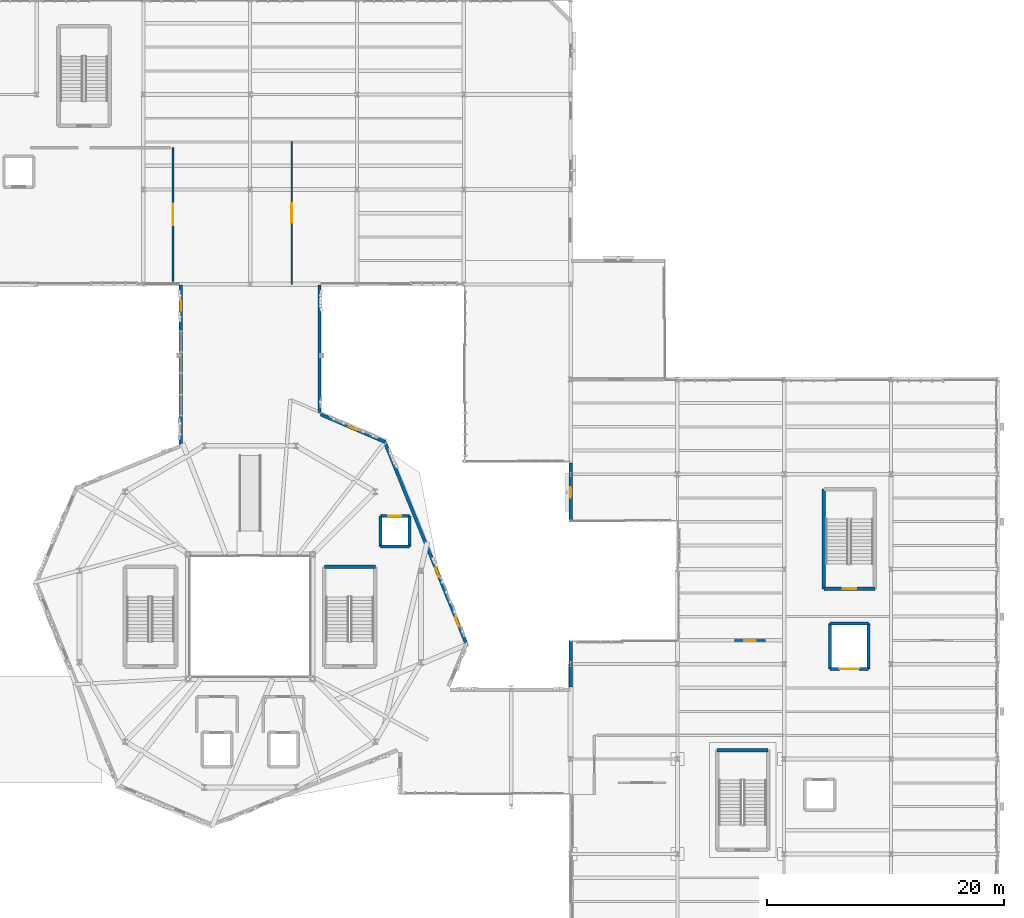
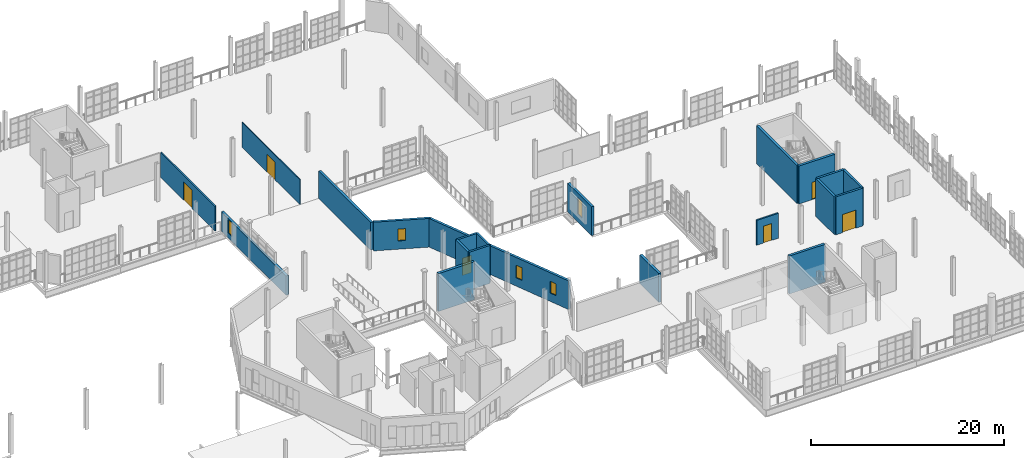
# One storey, part 100 of 122: 21 walls, 6 doors, 5 windows, 11 openings.
"""IFC4 building model written with IfcOpenShell, lengths in metres."""

from ifc_helpers import new_model, si_unit, direction, frame, frame_2d, origin, place, context, subcontext, project, spatial, rectangle, extrude, material, layer, layer_set, type_object, element, fill, save


model = new_model("IFC4")

# Units and contexts
model_context = context("Model", 3, precision=1e-05, world=origin(), true_north=direction((0.0, 1.0)))
body_context = subcontext(model_context, "Body", "Model", "MODEL_VIEW")
ifc_project = project(units=[si_unit("LENGTHUNIT", "METRE"), si_unit("AREAUNIT", "SQUARE_METRE"), si_unit("VOLUMEUNIT", "CUBIC_METRE"), si_unit("PLANEANGLEUNIT", "RADIAN"), si_unit("MASSUNIT", "GRAM", prefix="KILO"), si_unit("THERMODYNAMICTEMPERATUREUNIT", "KELVIN"), si_unit("POWERUNIT", "WATT")], contexts=[model_context])

# Site, building, storey
site_placement = place(None, origin())
site = spatial("IfcSite", under=ifc_project, at=site_placement, CompositionType="ELEMENT")
building_placement = place(site_placement, origin())
building = spatial("IfcBuilding", under=site, at=building_placement, Name="Zelmaris Science Centre", CompositionType="ELEMENT")
storey_placement = place(building_placement, frame((0.0, 0.0, 10.800048828125)))
storey = spatial("IfcBuildingStorey", under=building, at=storey_placement, Name="L02", CompositionType="ELEMENT", Elevation=10.800048828125)

# Walls
ifc_material_1 = material(Name="Concrete C40/50", Category="concrete")
ifc_layer_1 = layer(ifc_material_1, 0.300048828125, Name="Concrete C40/50")
ifc_layer_set_1 = layer_set([ifc_layer_1], Name="Concrete C40/50")
wall_type_1 = type_object("IfcWallType", Name="Core Shear Wall CW-S1 300mm", PredefinedType="SOLIDWALL", material=ifc_layer_set_1)
wall_1_placement = place(storey_placement, frame((91.550048828125, 40.199951171875, 0.0), z_axis=(0.0, 0.0, 1.0), x_axis=(-1.0, 0.0, 0.0)))
element("IfcWall", 1, at=wall_1_placement, inside=storey, type_object=wall_type_1, Name="L02 ST-2 core shear wall far", PredefinedType="SOLIDWALL", context=body_context, shape_type="SweptSolid", body=[
    extrude(rectangle(XDim=4.300048828125, YDim=0.300048828125, at=frame_2d((2.14990234375, 0.0))), origin(), (0.0, 0.0, 1.0), 4.800048828125),
])
wall_2_placement = place(storey_placement, frame((124.64990234375, 24.75, 0.0), z_axis=(0.0, 0.0, 1.0), x_axis=(-1.0, 0.0, 0.0)))
element("IfcWall", 2, at=wall_2_placement, inside=storey, type_object=wall_type_1, Name="L02 ST-4 core shear wall far", PredefinedType="SOLIDWALL", context=body_context, shape_type="SweptSolid", body=[
    extrude(rectangle(XDim=4.2998046875, YDim=0.300048828125, at=frame_2d((2.14990234375, 0.0))), origin(), (0.0, 0.0, 1.0), 4.800048828125),
])

# Wall, opening, door
wall_3_placement = place(storey_placement, frame((133.64990234375, 38.35009765625, 0.0), z_axis=(0.0, 0.0, 1.0), x_axis=(-1.0, 0.0, 0.0)))
wall_3 = element("IfcWall", 3, at=wall_3_placement, inside=storey, type_object=wall_type_1, Name="L02 ST-5 core shear wall near", PredefinedType="SOLIDWALL", context=body_context, shape_type="SweptSolid", body=[
    extrude(rectangle(XDim=4.2998046875, YDim=0.300048828125, at=frame_2d((2.14990234375, 0.0))), origin(), (0.0, 0.0, 1.0), 4.800048828125),
])
opening_1_placement = place(wall_3_placement, frame((1.574951171875, 0.0, 0.0)))
opening_1 = element("IfcOpeningElement", 4, at=opening_1_placement, cuts=wall_3, Name="Opening D-FD90", PredefinedType="OPENING", context=body_context, shape_type="SweptSolid", body=[
    extrude(rectangle(XDim=1.14990234375, YDim=2.199951171875, at=frame_2d((0.574951171875, 1.10009765625))), frame((0.0, 0.159912109375, 0.0), z_axis=(0.0, -1.0, 0.0), x_axis=(1.0, 0.0, 0.0)), (0.0, 0.0, 1.0), 0.320068359375),
])
ifc_material_2 = material(Name="Steel ASTM A36", Category="steel")
door_type_1 = type_object("IfcDoorType", Name="Interior Door D-FD90 1150x2200", OperationType="NOTDEFINED", PredefinedType="DOOR", material=ifc_material_2)
door_1_placement = place(opening_1_placement, origin())
door_1 = element("IfcDoor", 5, at=door_1_placement, inside=storey, type_object=door_type_1, Name="L02 ST-5 exit stair fire door", OperationType="SINGLE_SWING_RIGHT", OverallHeight=2.199951171875, OverallWidth=1.14990234375, PredefinedType="DOOR", context=body_context, shape_type="SweptSolid", body=[
    extrude(rectangle(XDim=1.14990234375, YDim=2.199951171875, at=frame_2d((0.574951171875, 1.10009765625))), frame((0.0, 0.02490234375, 0.0), z_axis=(0.0, -1.0, 0.0), x_axis=(1.0, 0.0, 0.0)), (0.0, 0.0, 1.0), 0.050048828125),
])
fill(opening_1, door_1)

# Walls
wall_4_placement = place(storey_placement, frame((129.35009765625, 38.35009765625, 0.0), z_axis=(0.0, 0.0, 1.0), x_axis=(0.0, 1.0, 0.0)))
element("IfcWall", 6, at=wall_4_placement, inside=storey, type_object=wall_type_1, Name="L02 ST-5 core shear wall west", PredefinedType="SOLIDWALL", context=body_context, shape_type="SweptSolid", body=[
    extrude(rectangle(XDim=8.39990234375, YDim=0.300048828125, at=frame_2d((4.199951171875, 0.0))), origin(), (0.0, 0.0, 1.0), 4.800048828125),
])
ifc_layer_2 = layer(ifc_material_1, 0.25, Name="Concrete C40/50")
ifc_layer_set_2 = layer_set([ifc_layer_2], Name="Concrete C40/50")
wall_type_2 = type_object("IfcWallType", Name="Core Shear Wall CW-S2 250mm", PredefinedType="SOLIDWALL", material=ifc_layer_set_2)
wall_5_placement = place(storey_placement, frame((91.97509765625, 41.925048828125, 0.0), z_axis=(0.0, 0.0, 1.0), x_axis=(1.0, 0.0, 0.0)))
element("IfcWall", 7, at=wall_5_placement, inside=storey, type_object=wall_type_2, Name="L02 LP-01 lift shaft wall -y", PredefinedType="SOLIDWALL", context=body_context, shape_type="SweptSolid", body=[
    extrude(rectangle(XDim=2.449951171875, YDim=0.25, at=frame_2d((1.22509765625, 0.0))), origin(), (0.0, 0.0, 1.0), 4.800048828125),
])
wall_6_placement = place(storey_placement, frame((94.425048828125, 41.925048828125, 0.0), z_axis=(0.0, 0.0, 1.0), x_axis=(0.0, 1.0, 0.0)))
element("IfcWall", 8, at=wall_6_placement, inside=storey, type_object=wall_type_2, Name="L02 LP-01 lift shaft wall +x", PredefinedType="SOLIDWALL", context=body_context, shape_type="SweptSolid", body=[
    extrude(rectangle(XDim=2.550048828125, YDim=0.25, at=frame_2d((1.27490234375, 0.0))), origin(), (0.0, 0.0, 1.0), 4.800048828125),
])

# Wall, opening, door
wall_7_placement = place(storey_placement, frame((94.425048828125, 44.47509765625, 0.0), z_axis=(0.0, 0.0, 1.0), x_axis=(-1.0, 0.0, 0.0)))
wall_7 = element("IfcWall", 9, at=wall_7_placement, inside=storey, type_object=wall_type_2, Name="L02 LP-01 lift shaft wall +y", PredefinedType="SOLIDWALL", context=body_context, shape_type="SweptSolid", body=[
    extrude(rectangle(XDim=2.449951171875, YDim=0.25, at=frame_2d((1.22509765625, 0.0))), origin(), (0.0, 0.0, 1.0), 4.800048828125),
])
opening_2_placement = place(wall_7_placement, frame((0.675048828125, 0.0, 0.0)))
opening_2 = element("IfcOpeningElement", 10, at=opening_2_placement, cuts=wall_7, Name="Opening LD-01", PredefinedType="OPENING", context=body_context, shape_type="SweptSolid", body=[
    extrude(rectangle(XDim=1.10009765625, YDim=2.199951171875, at=frame_2d((0.550048828125, 1.10009765625))), frame((0.0, 0.135009765625, 0.0), z_axis=(0.0, -1.0, 0.0), x_axis=(1.0, 0.0, 0.0)), (0.0, 0.0, 1.0), 0.27001953125),
])
door_type_2 = type_object("IfcDoorType", Name="Interior Door LD-01 1100x2200", OperationType="SLIDING_TO_LEFT", PredefinedType="DOOR", material=ifc_material_2)
door_2_placement = place(opening_2_placement, origin())
door_2 = element("IfcDoor", 11, at=door_2_placement, inside=storey, type_object=door_type_2, Name="Landing door LD-LP-01-L02", OperationType="SLIDING_TO_LEFT", OverallHeight=2.199951171875, OverallWidth=1.10009765625, PredefinedType="DOOR", context=body_context, shape_type="SweptSolid", body=[
    extrude(rectangle(XDim=1.10009765625, YDim=2.199951171875, at=frame_2d((0.550048828125, 1.10009765625))), frame((0.0, 0.02490234375, 0.0), z_axis=(0.0, -1.0, 0.0), x_axis=(1.0, 0.0, 0.0)), (0.0, 0.0, 1.0), 0.050048828125),
])
fill(opening_2, door_2)

# Wall
wall_8_placement = place(storey_placement, frame((91.97509765625, 44.47509765625, 0.0), z_axis=(0.0, 0.0, 1.0), x_axis=(0.0, -1.0, 0.0)))
element("IfcWall", 12, at=wall_8_placement, inside=storey, type_object=wall_type_2, Name="L02 LP-01 lift shaft wall -x", PredefinedType="SOLIDWALL", context=body_context, shape_type="SweptSolid", body=[
    extrude(rectangle(XDim=2.550048828125, YDim=0.25, at=frame_2d((1.27490234375, 0.0))), origin(), (0.0, 0.0, 1.0), 4.800048828125),
])

# Wall, opening, door
wall_9_placement = place(storey_placement, frame((129.875, 31.574951171875, 0.0), z_axis=(0.0, 0.0, 1.0), x_axis=(1.0, 0.0, 0.0)))
wall_9 = element("IfcWall", 13, at=wall_9_placement, inside=storey, type_object=wall_type_2, Name="L02 GL-01 lift shaft wall -y", PredefinedType="SOLIDWALL", context=body_context, shape_type="SweptSolid", body=[
    extrude(rectangle(XDim=3.25, YDim=0.25, at=frame_2d((1.625, 0.0))), origin(), (0.0, 0.0, 1.0), 4.800048828125),
])
opening_3_placement = place(wall_9_placement, frame((0.824951171875, 0.0, 0.0)))
opening_3 = element("IfcOpeningElement", 14, at=opening_3_placement, cuts=wall_9, Name="Opening LD-02", PredefinedType="OPENING", context=body_context, shape_type="SweptSolid", body=[
    extrude(rectangle(XDim=1.60009765625, YDim=2.300048828125, at=frame_2d((0.800048828125, 1.14990234375))), frame((0.0, 0.135009765625, 0.0), z_axis=(0.0, -1.0, 0.0), x_axis=(1.0, 0.0, 0.0)), (0.0, 0.0, 1.0), 0.27001953125),
])
door_type_3 = type_object("IfcDoorType", Name="Interior Door LD-02 1600x2300", OperationType="SLIDING_TO_LEFT", PredefinedType="DOOR", material=ifc_material_2)
door_3_placement = place(opening_3_placement, origin())
door_3 = element("IfcDoor", 15, at=door_3_placement, inside=storey, type_object=door_type_3, Name="Landing door LD-GL-01-L02", OperationType="SLIDING_TO_LEFT", OverallHeight=2.300048828125, OverallWidth=1.60009765625, PredefinedType="DOOR", context=body_context, shape_type="SweptSolid", body=[
    extrude(rectangle(XDim=1.60009765625, YDim=2.300048828125, at=frame_2d((0.800048828125, 1.14990234375))), frame((0.0, 0.02490234375, 0.0), z_axis=(0.0, -1.0, 0.0), x_axis=(1.0, 0.0, 0.0)), (0.0, 0.0, 1.0), 0.050048828125),
])
fill(opening_3, door_3)

# Walls
wall_10_placement = place(storey_placement, frame((133.125, 31.574951171875, 0.0), z_axis=(0.0, 0.0, 1.0), x_axis=(0.0, 1.0, 0.0)))
element("IfcWall", 16, at=wall_10_placement, inside=storey, type_object=wall_type_2, Name="L02 GL-01 lift shaft wall +x", PredefinedType="SOLIDWALL", context=body_context, shape_type="SweptSolid", body=[
    extrude(rectangle(XDim=3.85009765625, YDim=0.25, at=frame_2d((1.925048828125, 0.0))), origin(), (0.0, 0.0, 1.0), 4.800048828125),
])
wall_11_placement = place(storey_placement, frame((133.125, 35.425048828125, 0.0), z_axis=(0.0, 0.0, 1.0), x_axis=(-1.0, 0.0, 0.0)))
element("IfcWall", 17, at=wall_11_placement, inside=storey, type_object=wall_type_2, Name="L02 GL-01 lift shaft wall +y", PredefinedType="SOLIDWALL", context=body_context, shape_type="SweptSolid", body=[
    extrude(rectangle(XDim=3.25, YDim=0.25, at=frame_2d((1.625, 0.0))), origin(), (0.0, 0.0, 1.0), 4.800048828125),
])
wall_12_placement = place(storey_placement, frame((129.875, 35.425048828125, 0.0), z_axis=(0.0, 0.0, 1.0), x_axis=(0.0, -1.0, 0.0)))
element("IfcWall", 18, at=wall_12_placement, inside=storey, type_object=wall_type_2, Name="L02 GL-01 lift shaft wall -x", PredefinedType="SOLIDWALL", context=body_context, shape_type="SweptSolid", body=[
    extrude(rectangle(XDim=3.85009765625, YDim=0.25, at=frame_2d((1.925048828125, 0.0))), origin(), (0.0, 0.0, 1.0), 4.800048828125),
])
ifc_material_3 = material(Name="Precast concrete C40/50", Category="concrete")
ifc_layer_3 = layer(ifc_material_3, 0.300048828125, Name="Precast concrete C40/50")
ifc_layer_set_3 = layer_set([ifc_layer_3], Name="Precast concrete C40/50")
wall_type_3 = type_object("IfcWallType", Name="Exterior Wall EW-04 300mm", PredefinedType="SOLIDWALL", material=ifc_layer_set_3)
wall_13_placement = place(storey_placement, frame((108.0, 30.06005859375, 0.0), z_axis=(0.0, 0.0, 1.0), x_axis=(0.0, 1.0, 0.0)))
element("IfcWall", 19, at=wall_13_placement, inside=storey, type_object=wall_type_3, Name="L02 Exterior wall 106", PredefinedType="SOLIDWALL", context=body_context, shape_type="SweptSolid", body=[
    extrude(rectangle(XDim=3.93994140625, YDim=0.300048828125, at=frame_2d((1.969970703125, 0.0))), origin(), (0.0, 0.0, 1.0), 3.64892578125),
])

# Wall, opening, window
wall_14_placement = place(storey_placement, frame((108.0, 44.0, 0.0), z_axis=(0.0, 0.0, 1.0), x_axis=(0.0, 1.0, 0.0)))
wall_14 = element("IfcWall", 20, at=wall_14_placement, inside=storey, type_object=wall_type_3, Name="L02 Exterior wall 107", PredefinedType="SOLIDWALL", context=body_context, shape_type="SweptSolid", body=[
    extrude(rectangle(XDim=4.93994140625, YDim=0.300048828125, at=frame_2d((2.469970703125, 0.0))), origin(), (0.0, 0.0, 1.0), 3.654052734375),
])
opening_4_placement = place(wall_14_placement, frame((2.02001953125, 0.0, 1.0)))
opening_4 = element("IfcOpeningElement", 21, at=opening_4_placement, cuts=wall_14, Name="Opening W-12", PredefinedType="OPENING", context=body_context, shape_type="SweptSolid", body=[
    extrude(rectangle(XDim=0.89990234375, YDim=2.10009765625, at=frame_2d((0.449951171875, 1.050048828125))), frame((0.0, 0.159912109375, 0.0), z_axis=(0.0, -1.0, 0.0), x_axis=(1.0, 0.0, 0.0)), (0.0, 0.0, 1.0), 0.320068359375),
])
ifc_material_4 = material(Name="Laminated hurricane-rated low-E insulated glazing", Category="glass")
window_type_1 = type_object("IfcWindowType", Name="Window W-12 900x2100", PartitioningType="SINGLE_PANEL", PredefinedType="WINDOW", material=ifc_material_4)
window_1_placement = place(opening_4_placement, origin())
window_1 = element("IfcWindow", 22, at=window_1_placement, inside=storey, type_object=window_type_1, Name="L02 Facade window 60", OverallHeight=2.10009765625, OverallWidth=0.89990234375, PartitioningType="SINGLE_PANEL", PredefinedType="WINDOW", context=body_context, shape_type="SweptSolid", body=[
    extrude(rectangle(XDim=0.89990234375, YDim=2.10009765625, at=frame_2d((0.449951171875, 1.050048828125))), frame((0.0, 0.030029296875, 0.0), z_axis=(0.0, -1.0, 0.0), x_axis=(1.0, 0.0, 0.0)), (0.0, 0.0, 1.0), 0.06005859375),
])
fill(opening_4, window_1)

ifc_layer_4 = layer(ifc_material_3, 0.280029296875, Name="Precast concrete C40/50")
ifc_layer_set_4 = layer_set([ifc_layer_4], Name="Precast concrete C40/50")
wall_type_4 = type_object("IfcWallType", Name="Exterior Wall EW-05 280mm", PredefinedType="SOLIDWALL", material=ifc_layer_set_4)
wall_15_placement = place(storey_placement, frame((75.15283203125, 50.498779296875, 0.0), z_axis=(0.0, 0.0, 1.0), x_axis=(0.000526745908, 0.999999861269, 0.0)))
wall_15 = element("IfcWall", 23, at=wall_15_placement, inside=storey, type_object=wall_type_4, Name="L02 Exterior wall 94", PredefinedType="SOLIDWALL", context=body_context, shape_type="SweptSolid", body=[
    extrude(rectangle(XDim=13.441162109375, YDim=0.280029296875, at=frame_2d((6.720703125, 0.0))), origin(), (0.0, 0.0, 1.0), 2.449951171875),
])
opening_5_placement = place(wall_15_placement, frame((11.2705078125, 0.0, 0.60009765625)))
opening_5 = element("IfcOpeningElement", 24, at=opening_5_placement, cuts=wall_15, Name="Opening W-TR2", PredefinedType="OPENING", context=body_context, shape_type="SweptSolid", body=[
    extrude(rectangle(XDim=0.800048828125, YDim=1.699951171875, at=frame_2d((0.39990234375, 0.85009765625))), frame((0.0, 0.14990234375, 0.0), z_axis=(0.0, -1.0, 0.0), x_axis=(1.0, 0.0, 0.0)), (0.0, 0.0, 1.0), 0.300048828125),
])
window_type_2 = type_object("IfcWindowType", Name="Window W-TR2 800x1700", PartitioningType="SINGLE_PANEL", PredefinedType="WINDOW", material=ifc_material_4)
window_2_placement = place(opening_5_placement, origin())
window_2 = element("IfcWindow", 25, at=window_2_placement, inside=storey, type_object=window_type_2, Name="L02 Triangular faceted window 50", OverallHeight=1.699951171875, OverallWidth=0.800048828125, PartitioningType="SINGLE_PANEL", PredefinedType="WINDOW", context=body_context, shape_type="SweptSolid", body=[
    extrude(rectangle(XDim=0.800048828125, YDim=1.699951171875, at=frame_2d((0.39990234375, 0.85009765625))), frame((0.0, 0.030029296875, 0.0), z_axis=(0.0, -1.0, 0.0), x_axis=(1.0, 0.0, 0.0)), (0.0, 0.0, 1.0), 0.06005859375),
])
fill(opening_5, window_2)

# Wall, openings, windows
wall_16_placement = place(storey_placement, frame((92.314208984375, 50.79541015625, 0.0), z_axis=(0.0, 0.0, 1.0), x_axis=(0.37460574737, -0.927184196391, 0.0)))
wall_16 = element("IfcWall", 26, at=wall_16_placement, inside=storey, type_object=wall_type_4, Name="L02 Exterior wall 103", PredefinedType="SOLIDWALL", context=body_context, shape_type="SweptSolid", body=[
    extrude(rectangle(XDim=18.5, YDim=0.280029296875, at=frame_2d((9.25, 0.0))), origin(), (0.0, 0.0, 1.0), 3.62890625),
])
opening_6_placement = place(wall_16_placement, frame((11.52490234375, 0.0, 1.050048828125)))
opening_6 = element("IfcOpeningElement", 27, at=opening_6_placement, cuts=wall_16, Name="Opening W-TR3", PredefinedType="OPENING", context=body_context, shape_type="SweptSolid", body=[
    extrude(rectangle(XDim=0.85009765625, YDim=1.60009765625, at=frame_2d((0.425048828125, 0.800048828125))), frame((0.0, 0.14990234375, 0.0), z_axis=(0.0, -1.0, 0.0), x_axis=(1.0, 0.0, 0.0)), (0.0, 0.0, 1.0), 0.300048828125),
])
opening_7_placement = place(wall_16_placement, frame((16.050048828125, 0.0, 1.050048828125)))
opening_7 = element("IfcOpeningElement", 28, at=opening_7_placement, cuts=wall_16, Name="Opening W-TR1", PredefinedType="OPENING", context=body_context, shape_type="SweptSolid", body=[
    extrude(rectangle(XDim=0.800048828125, YDim=1.5, at=frame_2d((0.39990234375, 0.75))), frame((0.0, 0.14990234375, 0.0), z_axis=(0.0, -1.0, 0.0), x_axis=(1.0, 0.0, 0.0)), (0.0, 0.0, 1.0), 0.300048828125),
])
window_type_3 = type_object("IfcWindowType", Name="Window W-TR1 800x1500", PartitioningType="SINGLE_PANEL", PredefinedType="WINDOW", material=ifc_material_4)
window_3_placement = place(opening_7_placement, origin())
window_3 = element("IfcWindow", 29, at=window_3_placement, inside=storey, type_object=window_type_3, Name="L02 Triangular faceted window 58", OverallHeight=1.5, OverallWidth=0.800048828125, PartitioningType="SINGLE_PANEL", PredefinedType="WINDOW", context=body_context, shape_type="SweptSolid", body=[
    extrude(rectangle(XDim=0.800048828125, YDim=1.5, at=frame_2d((0.39990234375, 0.75))), frame((0.0, 0.030029296875, 0.0), z_axis=(0.0, -1.0, 0.0), x_axis=(1.0, 0.0, 0.0)), (0.0, 0.0, 1.0), 0.06005859375),
])
fill(opening_7, window_3)
window_type_4 = type_object("IfcWindowType", Name="Window W-TR3 850x1600", PartitioningType="SINGLE_PANEL", PredefinedType="WINDOW", material=ifc_material_4)
window_4_placement = place(opening_6_placement, origin())
window_4 = element("IfcWindow", 30, at=window_4_placement, inside=storey, type_object=window_type_4, Name="L02 Triangular faceted window 57", OverallHeight=1.60009765625, OverallWidth=0.85009765625, PartitioningType="SINGLE_PANEL", PredefinedType="WINDOW", context=body_context, shape_type="SweptSolid", body=[
    extrude(rectangle(XDim=0.85009765625, YDim=1.60009765625, at=frame_2d((0.425048828125, 0.800048828125))), frame((0.0, 0.030029296875, 0.0), z_axis=(0.0, -1.0, 0.0), x_axis=(1.0, 0.0, 0.0)), (0.0, 0.0, 1.0), 0.06005859375),
])
fill(opening_6, window_4)

# Wall
wall_17_placement = place(storey_placement, frame((86.84716796875, 63.96826171875, 0.0), z_axis=(0.0, 0.0, 1.0), x_axis=(-0.000249190124, -0.999999968952, 0.0)))
element("IfcWall", 31, at=wall_17_placement, inside=storey, type_object=wall_type_4, Name="L02 Exterior wall 108", PredefinedType="SOLIDWALL", context=body_context, shape_type="SweptSolid", body=[
    extrude(rectangle(XDim=10.777099609375, YDim=0.280029296875, at=frame_2d((5.388671875, 0.0))), origin(), (0.0, 0.0, 1.0), 3.493896484375),
])

# Wall, opening, window
wall_18_placement = place(storey_placement, frame((86.941650390625, 53.0439453125, 0.0), z_axis=(0.0, 0.0, 1.0), x_axis=(0.919349113353, -0.393442763026, 0.0)))
wall_18 = element("IfcWall", 32, at=wall_18_placement, inside=storey, type_object=wall_type_4, Name="L02 Exterior wall 109", PredefinedType="SOLIDWALL", context=body_context, shape_type="SweptSolid", body=[
    extrude(rectangle(XDim=5.9365234375, YDim=0.280029296875, at=frame_2d((2.96826171875, 0.0))), origin(), (0.0, 0.0, 1.0), 3.634033203125),
])
opening_8_placement = place(wall_18_placement, frame((2.568359375, 0.0, 1.050048828125)))
opening_8 = element("IfcOpeningElement", 33, at=opening_8_placement, cuts=wall_18, Name="Opening W-TR1", PredefinedType="OPENING", context=body_context, shape_type="SweptSolid", body=[
    extrude(rectangle(XDim=0.800048828125, YDim=1.5, at=frame_2d((0.39990234375, 0.75))), frame((0.0, 0.14990234375, 0.0), z_axis=(0.0, -1.0, 0.0), x_axis=(1.0, 0.0, 0.0)), (0.0, 0.0, 1.0), 0.300048828125),
])
window_5_placement = place(opening_8_placement, origin())
window_5 = element("IfcWindow", 34, at=window_5_placement, inside=storey, type_object=window_type_3, Name="L02 Triangular faceted window 61", OverallHeight=1.5, OverallWidth=0.800048828125, PartitioningType="SINGLE_PANEL", PredefinedType="WINDOW", context=body_context, shape_type="SweptSolid", body=[
    extrude(rectangle(XDim=0.800048828125, YDim=1.5, at=frame_2d((0.39990234375, 0.75))), frame((0.0, 0.030029296875, 0.0), z_axis=(0.0, -1.0, 0.0), x_axis=(1.0, 0.0, 0.0)), (0.0, 0.0, 1.0), 0.06005859375),
])
fill(opening_8, window_5)

# Wall, opening, door
ifc_material_5 = material(Name="Autoclaved aerated concrete blockwork", Category="masonry")
ifc_layer_5 = layer(ifc_material_5, 0.179931640625, Name="Autoclaved aerated concrete blockwork")
ifc_layer_set_5 = layer_set([ifc_layer_5], Name="Autoclaved aerated concrete blockwork")
wall_type_5 = type_object("IfcWallType", Name="Interior Wall PT-04 180mm", PredefinedType="PARTITIONING", material=ifc_layer_set_5)
wall_19_placement = place(storey_placement, frame((124.425048828125, 34.0048828125, 0.0), z_axis=(0.0, 0.0, 1.0), x_axis=(-1.0, 0.0, 0.0)))
wall_19 = element("IfcWall", 35, at=wall_19_placement, inside=storey, type_object=wall_type_5, Name="L02 L02 Public WC entrance partition 57", PredefinedType="PARTITIONING", context=body_context, shape_type="SweptSolid", body=[
    extrude(rectangle(XDim=2.60009765625, YDim=0.179931640625, at=frame_2d((1.300048828125, 0.0))), origin(), (0.0, 0.0, 1.0), 3.14990234375),
])
opening_9_placement = place(wall_19_placement, frame((0.824951171875, 0.0, 0.0)))
opening_9 = element("IfcOpeningElement", 36, at=opening_9_placement, cuts=wall_19, Name="Opening D-IN2", PredefinedType="OPENING", context=body_context, shape_type="SweptSolid", body=[
    extrude(rectangle(XDim=0.949951171875, YDim=2.14990234375, at=frame_2d((0.47509765625, 1.074951171875))), frame((0.0, 0.099853515625, 0.0), z_axis=(0.0, -1.0, 0.0), x_axis=(1.0, 0.0, 0.0)), (0.0, 0.0, 1.0), 0.199951171875),
])
ifc_material_6 = material(Name="Solid tropical tzalam hardwood", Category="wood")
door_type_4 = type_object("IfcDoorType", Name="Interior Door D-IN2 950x2150", OperationType="NOTDEFINED", PredefinedType="DOOR", material=ifc_material_6)
door_4_placement = place(opening_9_placement, origin())
door_4 = element("IfcDoor", 37, at=door_4_placement, inside=storey, type_object=door_type_4, Name="L02 L02 Public WC door", OperationType="SINGLE_SWING_LEFT", OverallHeight=2.14990234375, OverallWidth=0.949951171875, PredefinedType="DOOR", context=body_context, shape_type="SweptSolid", body=[
    extrude(rectangle(XDim=0.949951171875, YDim=2.14990234375, at=frame_2d((0.47509765625, 1.074951171875))), frame((0.0, 0.02490234375, 0.0), z_axis=(0.0, -1.0, 0.0), x_axis=(1.0, 0.0, 0.0)), (0.0, 0.0, 1.0), 0.050048828125),
])
fill(opening_9, door_4)

ifc_material_7 = material(Name="Fire-rated gypsum board on steel studs", Category="steel")
ifc_layer_6 = layer(ifc_material_7, 0.10009765625, Name="Fire-rated gypsum board on steel studs")
ifc_layer_set_6 = layer_set([ifc_layer_6], Name="Fire-rated gypsum board on steel studs")
wall_type_6 = type_object("IfcWallType", Name="Interior Wall PT-05 100mm", PredefinedType="PARTITIONING", material=ifc_layer_set_6)
wall_20_placement = place(storey_placement, frame((84.5048828125, 64.0, 0.0), z_axis=(0.0, 0.0, 1.0), x_axis=(0.0, 1.0, 0.0)))
wall_20 = element("IfcWall", 38, at=wall_20_placement, inside=storey, type_object=wall_type_6, Name="L02 Science Education Administration Office partition 56", PredefinedType="PARTITIONING", context=body_context, shape_type="SweptSolid", body=[
    extrude(rectangle(XDim=12.0, YDim=0.10009765625, at=frame_2d((6.0, 0.0))), origin(), (0.0, 0.0, 1.0), 3.14990234375),
])
opening_10_placement = place(wall_20_placement, frame((5.175048828125, 0.0, 0.0)))
opening_10 = element("IfcOpeningElement", 39, at=opening_10_placement, cuts=wall_20, Name="Opening D-IN14", PredefinedType="OPENING", context=body_context, shape_type="SweptSolid", body=[
    extrude(rectangle(XDim=1.64990234375, YDim=2.25, at=frame_2d((0.824951171875, 1.125))), frame((0.0, 0.06005859375, 0.0), z_axis=(0.0, -1.0, 0.0), x_axis=(1.0, 0.0, 0.0)), (0.0, 0.0, 1.0), 0.1201171875),
])
door_type_5 = type_object("IfcDoorType", Name="Interior Door D-IN14 1650x2250", OperationType="NOTDEFINED", PredefinedType="DOOR", material=ifc_material_6)
door_5_placement = place(opening_10_placement, origin())
door_5 = element("IfcDoor", 40, at=door_5_placement, inside=storey, type_object=door_type_5, Name="L02 Science Education Administration Office door", OperationType="SINGLE_SWING_LEFT", OverallHeight=2.25, OverallWidth=1.64990234375, PredefinedType="DOOR", context=body_context, shape_type="SweptSolid", body=[
    extrude(rectangle(XDim=1.64990234375, YDim=2.25, at=frame_2d((0.824951171875, 1.125))), frame((0.0, 0.02490234375, 0.0), z_axis=(0.0, -1.0, 0.0), x_axis=(1.0, 0.0, 0.0)), (0.0, 0.0, 1.0), 0.050048828125),
])
fill(opening_10, door_5)

ifc_layer_7 = layer(ifc_material_7, 0.159912109375, Name="Fire-rated gypsum board on steel studs")
ifc_layer_set_7 = layer_set([ifc_layer_7], Name="Fire-rated gypsum board on steel studs")
wall_type_7 = type_object("IfcWallType", Name="Interior Wall PT-08 160mm", PredefinedType="PARTITIONING", material=ifc_layer_set_7)
wall_21_placement = place(storey_placement, frame((74.5, 75.5, 0.0), z_axis=(0.0, 0.0, 1.0), x_axis=(0.0, -1.0, 0.0)))
wall_21 = element("IfcWall", 41, at=wall_21_placement, inside=storey, type_object=wall_type_7, Name="L02 Upper Science Reference Library partition 53", PredefinedType="PARTITIONING", context=body_context, shape_type="SweptSolid", body=[
    extrude(rectangle(XDim=11.25, YDim=0.159912109375, at=frame_2d((5.625, 0.0))), origin(), (0.0, 0.0, 1.0), 3.14990234375),
])
opening_11_placement = place(wall_21_placement, frame((4.72509765625, 0.0, 0.0)))
opening_11 = element("IfcOpeningElement", 42, at=opening_11_placement, cuts=wall_21, Name="Opening D-IN4", PredefinedType="OPENING", context=body_context, shape_type="SweptSolid", body=[
    extrude(rectangle(XDim=1.800048828125, YDim=2.300048828125, at=frame_2d((0.89990234375, 1.14990234375))), frame((0.0, 0.08984375, 0.0), z_axis=(0.0, -1.0, 0.0), x_axis=(1.0, 0.0, 0.0)), (0.0, 0.0, 1.0), 0.179931640625),
])
door_type_6 = type_object("IfcDoorType", Name="Interior Door D-IN4 1800x2300", OperationType="NOTDEFINED", PredefinedType="DOOR", material=ifc_material_6)
door_6_placement = place(opening_11_placement, origin())
door_6 = element("IfcDoor", 43, at=door_6_placement, inside=storey, type_object=door_type_6, Name="L02 Upper Science Reference Library door", OperationType="SINGLE_SWING_RIGHT", OverallHeight=2.300048828125, OverallWidth=1.800048828125, PredefinedType="DOOR", context=body_context, shape_type="SweptSolid", body=[
    extrude(rectangle(XDim=1.800048828125, YDim=2.300048828125, at=frame_2d((0.89990234375, 1.14990234375))), frame((0.0, 0.02490234375, 0.0), z_axis=(0.0, -1.0, 0.0), x_axis=(1.0, 0.0, 0.0)), (0.0, 0.0, 1.0), 0.050048828125),
])
fill(opening_11, door_6)

save(model, "model.ifc")
